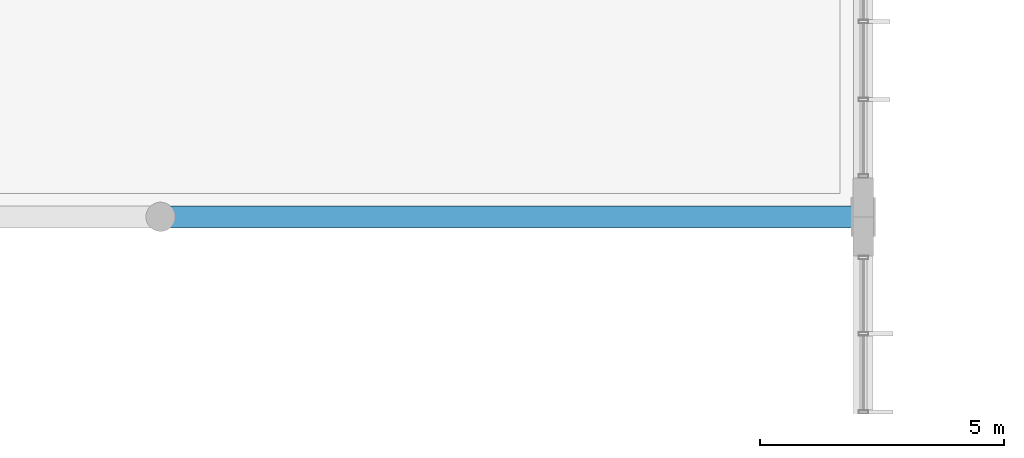
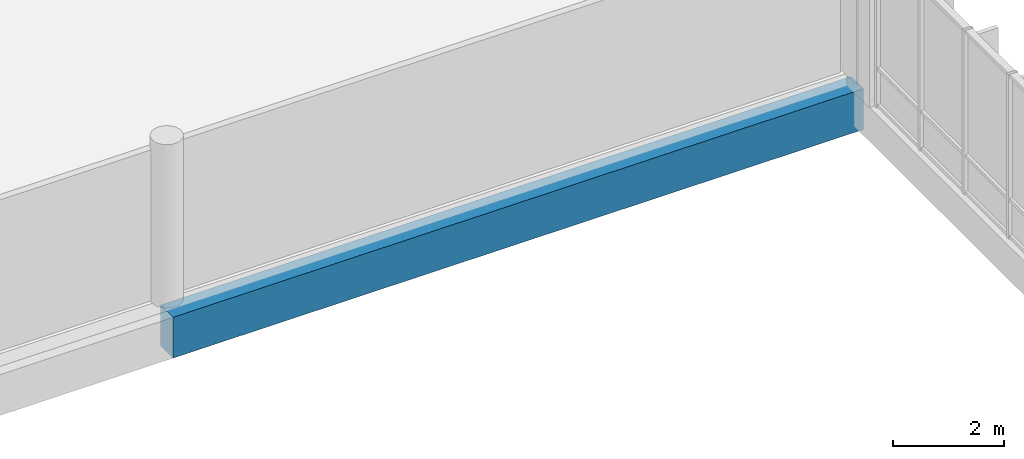
# One storey, part 64 of 189: 1 beam.
"""IFC4 building model written with IfcOpenShell, lengths in metres."""

import ifcopenshell
import ifcopenshell.guid

model = None  # the IFC model being written
_history = None  # IfcOwnerHistory: only IFC2X3 demands one
_inside = {}  # id of a spatial element -> (the spatial element, [elements in it])
_under = {}  # id of a project, library or spatial element -> (it, [spatial elements below it])
_declared = {}  # id of a project -> (the project, [libraries it declares])
_typed = {}  # id of a type object -> (the type object, [elements of that type])
_made_of = {}  # id of a material, layer set ... -> (it, [elements and type objects made of it])


def new_model(schema):
    """Start an empty IFC model of exactly this schema.

    Asked for "IFC4X3", IfcOpenShell would pick the latest addendum, in which some entities
    have other attributes; the version numbers below select the first issue.
    IFC2X3 requires an IfcOwnerHistory on every rooted entity: one is made here for all.
    """
    global model, _history
    if schema == "IFC4X3":
        model = ifcopenshell.file(schema_version=(4, 3, 0, 0))
    else:
        model = ifcopenshell.file(schema=schema)
    _inside.clear()
    _under.clear()
    _declared.clear()
    _typed.clear()
    _made_of.clear()
    _history = None
    if model.schema == "IFC2X3":
        org = make("IfcOrganization", Name="unknown")
        user = make(
            "IfcPersonAndOrganization",
            ThePerson=make("IfcPerson", FamilyName="unknown"),
            TheOrganization=org,
        )
        app = make(
            "IfcApplication",
            ApplicationDeveloper=org,
            Version="unknown",
            ApplicationFullName="unknown",
            ApplicationIdentifier="unknown",
        )
        _history = make(
            "IfcOwnerHistory",
            OwningUser=user,
            OwningApplication=app,
            ChangeAction="ADDED",
            CreationDate=0,
        )
    return model


def make(cls, **values):
    """One entity of the class cls with the attributes given. An attribute that is None is left unset."""
    return model.create_entity(
        cls, **{name: value for name, value in values.items() if value is not None}
    )


def rooted(cls, **values):
    """An entity with a GlobalId (a new one), such as an element, a storey or a relation."""
    return make(cls, GlobalId=ifcopenshell.guid.new(), OwnerHistory=_history, **values)


def si_unit(unit_type, name, prefix=None):
    """IfcSIUnit, for example si_unit("LENGTHUNIT", "METRE", prefix="MILLI")."""
    return make("IfcSIUnit", UnitType=unit_type, Prefix=prefix, Name=name)


def assignment(units):
    """IfcUnitAssignment: the units of a project."""
    return None if units is None else make("IfcUnitAssignment", Units=units)


def point(xyz):
    """IfcCartesianPoint."""
    return None if xyz is None else make("IfcCartesianPoint", Coordinates=xyz)


def direction(xyz):
    """IfcDirection."""
    return None if xyz is None else make("IfcDirection", DirectionRatios=xyz)


def frame(location, z_axis=None, x_axis=None):
    """IfcAxis2Placement3D, a coordinate frame: its origin and axes. An axis left out is left unset."""
    return make(
        "IfcAxis2Placement3D",
        Location=point(location),
        Axis=direction(z_axis),
        RefDirection=direction(x_axis),
    )


def frame_2d(location, x_axis=None):
    """IfcAxis2Placement2D, a coordinate frame in the plane: its origin and x axis."""
    return make(
        "IfcAxis2Placement2D", Location=point(location), RefDirection=direction(x_axis)
    )


def origin():
    """The frame at (0, 0, 0) with its axes left unset."""
    return frame((0.0, 0.0, 0.0))


def origin_2d():
    """The frame at (0, 0) in the plane with its x axis left unset."""
    return frame_2d((0.0, 0.0))


def place(relative_to, where):
    """IfcLocalPlacement: puts the frame where relative to a parent placement (None: the world)."""
    return make(
        "IfcLocalPlacement", PlacementRelTo=relative_to, RelativePlacement=where
    )


def context(
    kind, dimensions, precision=None, world=None, true_north=None, identifier=None
):
    """IfcGeometricRepresentationContext, for example the 3D "Model" context."""
    return make(
        "IfcGeometricRepresentationContext",
        ContextIdentifier=identifier,
        ContextType=kind,
        CoordinateSpaceDimension=dimensions,
        Precision=precision,
        WorldCoordinateSystem=world,
        TrueNorth=true_north,
    )


def subcontext(parent, identifier, kind, view, scale=None):
    """IfcGeometricRepresentationSubContext, for example "Body" below "Model"."""
    return make(
        "IfcGeometricRepresentationSubContext",
        ContextIdentifier=identifier,
        ContextType=kind,
        ParentContext=parent,
        TargetScale=scale,
        TargetView=view,
    )


def project(units=None, contexts=None):
    """IfcProject with its units and contexts."""
    return rooted(
        "IfcProject",
        Name="project",
        RepresentationContexts=contexts,
        UnitsInContext=assignment(units),
    )


def spatial(cls, under=None, at=None, **own):
    """A site, building, storey or space (cls), placed at a placement, below another one or the project."""
    s = rooted(cls, ObjectPlacement=at, **own)
    if under is not None:
        _under.setdefault(under.id(), (under, []))[1].append(s)
    return s


def profile(cls, at=None, kind="AREA", **sizes):
    """A parametric profile (cls). Its sizes go by their IFC names, for example OverallWidth=200.0."""
    return make(cls, ProfileType=kind, Position=at, **sizes)


def rectangle(**sizes):
    """IfcRectangleProfileDef."""
    return profile("IfcRectangleProfileDef", **sizes)


def extrude(swept, where, along, depth):
    """IfcExtrudedAreaSolid: the profile swept, set in the frame where, extruded along a direction by depth."""
    return make(
        "IfcExtrudedAreaSolid",
        SweptArea=swept,
        Position=where,
        ExtrudedDirection=direction(along),
        Depth=depth,
    )


def shape(context_of_items, identifier, shape_type, items):
    """IfcShapeRepresentation: the items that make up one representation, for example the "Body"."""
    return make(
        "IfcShapeRepresentation",
        ContextOfItems=context_of_items,
        RepresentationIdentifier=identifier,
        RepresentationType=shape_type,
        Items=items,
    )


def material(Name=None, Category=None):
    """IfcMaterial."""
    return make("IfcMaterial", Name=Name, Category=Category)


def material_profile(
    of_material, cross_section, Name=None, Category=None, Priority=None
):
    """IfcMaterialProfile: a cross section and its material."""
    return make(
        "IfcMaterialProfile",
        Name=Name,
        Material=of_material,
        Profile=cross_section,
        Priority=Priority,
        Category=Category,
    )


def profile_set(profiles, Name=None, composite=None):
    """IfcMaterialProfileSet."""
    return make(
        "IfcMaterialProfileSet",
        Name=Name,
        MaterialProfiles=profiles,
        CompositeProfile=composite,
    )


def made_of(thing, what):
    """Note that an element or type object is made of a material, layer set ...; save() writes the relation."""
    if what is not None:
        _made_of.setdefault(what.id(), (what, []))[1].append(thing)
    return thing


def type_object(cls, material=None, **own):
    """A type object (cls), such as IfcWallType, which elements share."""
    return made_of(rooted(cls, **own), material)


def element(
    cls,
    number,
    at=None,
    inside=None,
    cuts=None,
    type_object=None,
    material=None,
    context=None,
    identifier="Body",
    shape_type=None,
    held_by="IfcProductDefinitionShape",
    body=None,
    shapes=None,
    **own,
):
    """One element of the class cls, such as IfcWall. Its Tag is "e" and its number.

    at: its placement. inside: the storey or other place that contains it. cuts: it is an
    opening in that element (IfcRelVoidsElement). A single representation is given by context,
    identifier, shape_type and body (its items); several are given by shapes. held_by: the class
    of the entity that holds the representations. save() writes the other relations.
    """
    e = rooted(cls, Tag="e%d" % number, ObjectPlacement=at, **own)
    if body is not None:
        shapes = [shape(context, identifier, shape_type, body)]
    if shapes is not None:
        e.Representation = make(held_by, Representations=shapes)
    if inside is not None:
        _inside.setdefault(inside.id(), (inside, []))[1].append(e)
    if cuts is not None:
        rooted(
            "IfcRelVoidsElement", RelatingBuildingElement=cuts, RelatedOpeningElement=e
        )
    if type_object is not None:
        _typed.setdefault(type_object.id(), (type_object, []))[1].append(e)
    return made_of(e, material)


def aggregate(whole, parts):
    """IfcRelAggregates: a whole, such as a stair, and the parts it consists of."""
    return rooted("IfcRelAggregates", RelatingObject=whole, RelatedObjects=parts)


def save(model, path):
    """Write the relations noted so far, then the file.

    IfcRelAggregates (storeys below a building ...), IfcRelContainedInSpatialStructure (elements
    in a storey), IfcRelDefinesByType, IfcRelAssociatesMaterial and IfcRelDeclares: one each for
    every whole, place, type object, material and project.
    """
    for whole, parts in _under.values():
        aggregate(whole, parts)
    for where, things in _inside.values():
        rooted(
            "IfcRelContainedInSpatialStructure",
            RelatedElements=things,
            RelatingStructure=where,
        )
    for kind, things in _typed.values():
        rooted("IfcRelDefinesByType", RelatedObjects=things, RelatingType=kind)
    for what, things in _made_of.values():
        rooted("IfcRelAssociatesMaterial", RelatedObjects=things, RelatingMaterial=what)
    for by, libraries in _declared.values():
        rooted("IfcRelDeclares", RelatingContext=by, RelatedDefinitions=libraries)
    model.write(path)


model = new_model("IFC4")

# Units and contexts
model_context = context("Model", 3, precision=1e-05, world=origin(), true_north=direction((0.0, 1.0)))
body_context = subcontext(model_context, "Body", "Model", "MODEL_VIEW")
ifc_project = project(units=[si_unit("LENGTHUNIT", "METRE"), si_unit("AREAUNIT", "SQUARE_METRE"), si_unit("VOLUMEUNIT", "CUBIC_METRE"), si_unit("PLANEANGLEUNIT", "RADIAN"), si_unit("MASSUNIT", "GRAM", prefix="KILO")], contexts=[model_context])

# Site, building, storey
site_placement = place(None, origin())
site = spatial("IfcSite", under=ifc_project, at=site_placement, CompositionType="ELEMENT")
building_placement = place(site_placement, origin())
building = spatial("IfcBuilding", under=site, at=building_placement, Name="Zavelmont Quarter", CompositionType="ELEMENT")
storey_placement = place(building_placement, frame((0.0, 0.0, 4.39990234375)))
storey = spatial("IfcBuildingStorey", under=building, at=storey_placement, Name="L01", CompositionType="ELEMENT", Elevation=4.39990234375)

# Beam
ifc_material = material(Name="Concrete C40/50", Category="concrete")
ifc_material_profile = material_profile(ifc_material, rectangle(XDim=0.449951171875, YDim=0.89990234375, at=origin_2d()), Name="RC450X900")
ifc_profile_set = profile_set([ifc_material_profile], Name="Concrete C40/50")
beam_type = type_object("IfcBeamType", Name="BM06", PredefinedType="BEAM", material=ifc_profile_set)
beam_placement = place(storey_placement, frame((98.39990234375, 62.0, -0.72998046875), z_axis=(1.0, 0.0, 0.0), x_axis=(0.0, 1.0, 0.0)))
element("IfcBeam", 1, at=beam_placement, inside=storey, type_object=beam_type, Name="L01 beam BM06 15/K to 17/K", PredefinedType="BEAM", context=body_context, shape_type="SweptSolid", body=[
    extrude(rectangle(XDim=0.449951171875, YDim=0.89990234375, at=origin_2d()), origin(), (0.0, 0.0, 1.0), 14.400146484375),
])

save(model, "model.ifc")
